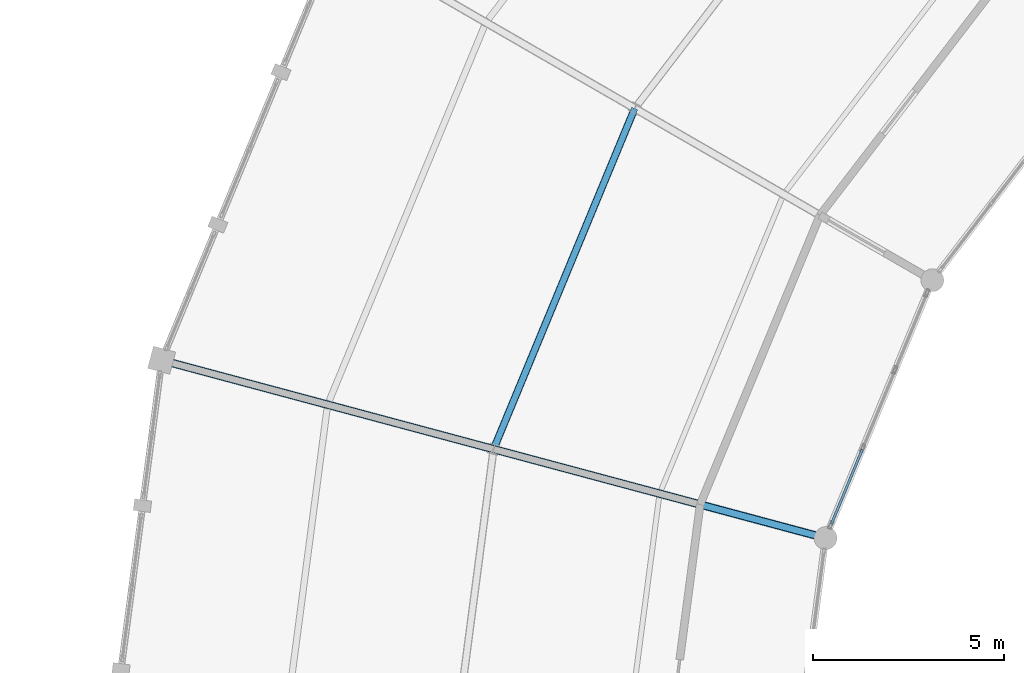
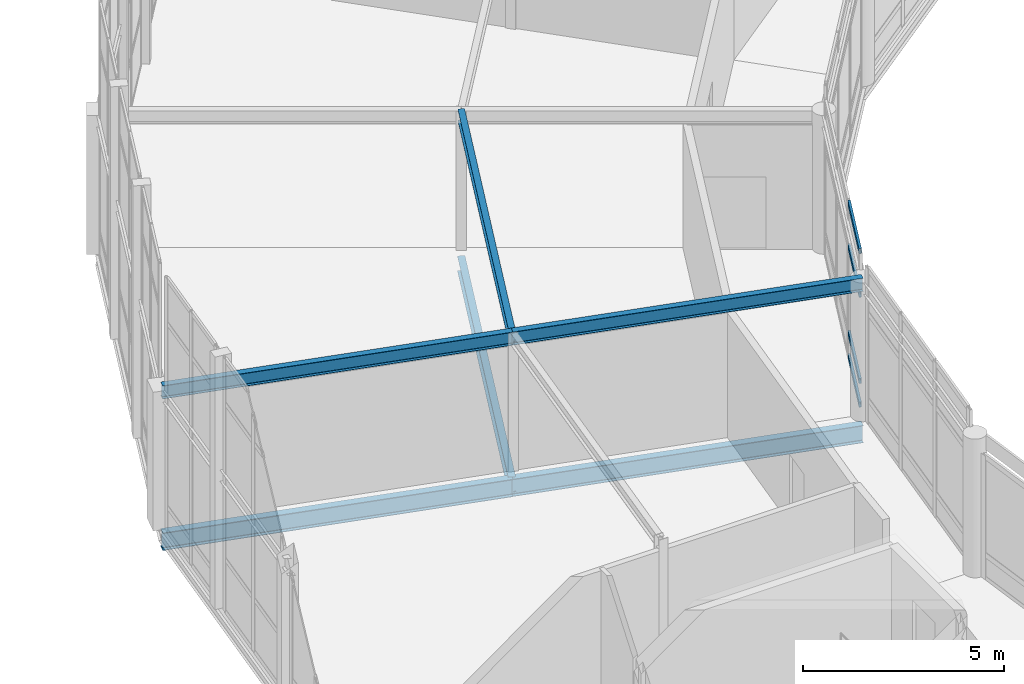
# One storey, part 81 of 200: 6 beams, 4 members, 1 element without a shape of its own.
"""IFC4 building model written with IfcOpenShell, lengths in metres."""

from ifc_helpers import new_model, si_unit, direction, frame, origin, origin_2d, place, context, subcontext, project, spatial, hollow_rectangle, i_section, extrude, material, material_profile, profile_set, type_object, element, aggregate, save


model = new_model("IFC4")

# Units and contexts
model_context = context("Model", 3, precision=1e-05, world=origin(), true_north=direction((0.0, 1.0)))
body_context = subcontext(model_context, "Body", "Model", "MODEL_VIEW")
ifc_project = project(units=[si_unit("LENGTHUNIT", "METRE"), si_unit("AREAUNIT", "SQUARE_METRE"), si_unit("VOLUMEUNIT", "CUBIC_METRE"), si_unit("PLANEANGLEUNIT", "RADIAN"), si_unit("MASSUNIT", "GRAM", prefix="KILO")], contexts=[model_context])

# Site, building, storey
site_placement = place(None, origin())
site = spatial("IfcSite", under=ifc_project, at=site_placement, CompositionType="ELEMENT")
building_placement = place(site_placement, origin())
building = spatial("IfcBuilding", under=site, at=building_placement, Name="Vondelvale Polytechnic", CompositionType="ELEMENT")
storey_placement = place(building_placement, frame((0.0, 0.0, 13.800048828125)))
storey = spatial("IfcBuildingStorey", under=building, at=storey_placement, Name="L03", CompositionType="ELEMENT", Elevation=13.800048828125)

# Beams
ifc_material_1 = material(Name="Steel 300PLUS (fy = 300 MPa)", Category="steel")
ifc_material_profile_1 = material_profile(ifc_material_1, i_section(OverallWidth=0.1708984375, OverallDepth=0.35205078125, WebThickness=0.0068359375, FlangeThickness=0.009765625, FilletRadius=0.011474609375, at=origin_2d()), Name="360UB44.7")
ifc_profile_set_1 = profile_set([ifc_material_profile_1], Name="Steel 300PLUS (fy = 300 MPa)")
beam_type_1 = type_object("IfcBeamType", Name="BM-UB360L", PredefinedType="BEAM", material=ifc_profile_set_1)
beam_1_placement = place(storey_placement, frame((69.95703125, 90.5, 4.02392578125), z_axis=(-0.38268516011, -0.923878816854, 0.0), x_axis=(0.923878816854, -0.38268516011, 0.0)))
element("IfcBeam", 1, at=beam_1_placement, inside=storey, type_object=beam_type_1, Name="L03 RE B-24", PredefinedType="BEAM", context=body_context, shape_type="SweptSolid", body=[
    extrude(i_section(OverallWidth=0.1708984375, OverallDepth=0.35205078125, WebThickness=0.0068359375, FlangeThickness=0.009765625, FilletRadius=0.011474609375, at=origin_2d()), origin(), (0.0, 0.0, 1.0), 9.658935546875),
])
ifc_material_profile_2 = material_profile(ifc_material_1, i_section(OverallWidth=0.177978515625, OverallDepth=0.403076171875, WebThickness=0.007568359375, FlangeThickness=0.010986328125, FilletRadius=0.011474609375, at=origin_2d()), Name="410UB53.7")
ifc_profile_set_2 = profile_set([ifc_material_profile_2], Name="Steel 300PLUS (fy = 300 MPa)")
beam_type_2 = type_object("IfcBeamType", Name="BM-UB410L", PredefinedType="BEAM", material=ifc_profile_set_2)
for number, where, z_axis, x_axis, name in (
    (2, (74.9541015625, 79.246826171875, 3.99853515625), (-0.965919958881, 0.258840941576, 0.0), (-0.258840941576, -0.965919958881, 0.0), "L03 REG B-23"),
    (3, (66.2607421875, 81.576416015625, 3.99853515625), (-0.965926740751, 0.25881563226, 0.0), (-0.25881563226, -0.965926740751, 0.0), "L03 REG B-23"),
):
    element("IfcBeam", number, at=place(storey_placement, frame(where, z_axis=z_axis, x_axis=x_axis)), inside=storey, type_object=beam_type_2, Name=name, PredefinedType="BEAM", context=body_context, shape_type="SweptSolid", body=[
        extrude(i_section(OverallWidth=0.177978515625, OverallDepth=0.403076171875, WebThickness=0.007568359375, FlangeThickness=0.010986328125, FilletRadius=0.011474609375, at=origin_2d()), origin(), (0.0, 0.0, 1.0), 9.0),
    ])
ifc_material_profile_3 = material_profile(ifc_material_1, i_section(OverallWidth=0.18994140625, OverallDepth=0.4541015625, WebThickness=0.008544921875, FlangeThickness=0.0126953125, FilletRadius=0.011474609375, at=origin_2d()), Name="460UB67.1")
ifc_profile_set_3 = profile_set([ifc_material_profile_3], Name="Steel 300PLUS (fy = 300 MPa)")
beam_type_3 = type_object("IfcBeamType", Name="BM-UB460L", PredefinedType="BEAM", material=ifc_profile_set_3)
beam_2_placement = place(storey_placement, frame((69.95703125, 90.5, -0.47705078125), z_axis=(-0.38268516011, -0.923878816854, 0.0), x_axis=(0.923878816854, -0.38268516011, 0.0)))
element("IfcBeam", 4, at=beam_2_placement, inside=storey, type_object=beam_type_3, Name="L03 RB B-22", PredefinedType="BEAM", context=body_context, shape_type="SweptSolid", body=[
    extrude(i_section(OverallWidth=0.18994140625, OverallDepth=0.4541015625, WebThickness=0.008544921875, FlangeThickness=0.0126953125, FilletRadius=0.011474609375, at=origin_2d()), origin(), (0.0, 0.0, 1.0), 9.658935546875),
])
ifc_material_profile_4 = material_profile(ifc_material_1, i_section(OverallWidth=0.208984375, OverallDepth=0.532958984375, WebThickness=0.01025390625, FlangeThickness=0.015625, FilletRadius=0.013916015625, at=origin_2d()), Name="530UB92.4")
ifc_profile_set_4 = profile_set([ifc_material_profile_4], Name="Steel 300PLUS (fy = 300 MPa)")
beam_type_4 = type_object("IfcBeamType", Name="BM-UB530", PredefinedType="BEAM", material=ifc_profile_set_4)
beam_3_placement = place(storey_placement, frame((66.2607421875, 81.576416015625, -0.5166015625), z_axis=(-0.965926740751, 0.25881563226, 0.0), x_axis=(-0.25881563226, -0.965926740751, 0.0)))
element("IfcBeam", 5, at=beam_3_placement, inside=storey, type_object=beam_type_4, Name="L03 RG B-11", PredefinedType="BEAM", context=body_context, shape_type="SweptSolid", body=[
    extrude(i_section(OverallWidth=0.208984375, OverallDepth=0.532958984375, WebThickness=0.01025390625, FlangeThickness=0.015625, FilletRadius=0.013916015625, at=origin_2d()), origin(), (0.0, 0.0, 1.0), 9.0),
])
ifc_material_profile_5 = material_profile(ifc_material_1, i_section(OverallWidth=0.208984375, OverallDepth=0.528076171875, WebThickness=0.009521484375, FlangeThickness=0.01318359375, FilletRadius=0.013916015625, at=origin_2d()), Name="530UB82.0")
ifc_profile_set_5 = profile_set([ifc_material_profile_5], Name="Steel 300PLUS (fy = 300 MPa)")
beam_type_5 = type_object("IfcBeamType", Name="BM-UB530L", PredefinedType="BEAM", material=ifc_profile_set_5)
beam_4_placement = place(storey_placement, frame((74.9541015625, 79.246826171875, -0.51416015625), z_axis=(-0.965919958881, 0.258840941576, 0.0), x_axis=(-0.258840941576, -0.965919958881, 0.0)))
element("IfcBeam", 6, at=beam_4_placement, inside=storey, type_object=beam_type_5, Name="L03 RG B-21", PredefinedType="BEAM", context=body_context, shape_type="SweptSolid", body=[
    extrude(i_section(OverallWidth=0.208984375, OverallDepth=0.528076171875, WebThickness=0.009521484375, FlangeThickness=0.01318359375, FilletRadius=0.013916015625, at=origin_2d()), origin(), (0.0, 0.0, 1.0), 9.0),
])

# Curtain wall, members
ifc_material_2 = material(Name="Anodised extruded aluminium 6063-T6", Category="aluminium")
curtain_wall_type = type_object("IfcCurtainWallType", Name="CW-RING-CLOISTER", PredefinedType="NOTDEFINED", material=ifc_material_2)
curtain_wall_placement = place(storey_placement, origin())
curtain_wall = element("IfcCurtainWall", 7, at=curtain_wall_placement, inside=storey, type_object=curtain_wall_type, Name="L03 architectural curtain wall CW-03-237", PredefinedType="NOTDEFINED")
ifc_material_profile_6 = material_profile(ifc_material_2, hollow_rectangle(XDim=0.06494140625, YDim=0.159912109375, WallThickness=0.00341796875, at=origin_2d()), Name="CW-TRN-160x65")
ifc_profile_set_6 = profile_set([ifc_material_profile_6], Name="Anodised extruded aluminium 6063-T6")
member_type = type_object("IfcMemberType", Name="CW-TRN-70x160", PredefinedType="USERDEFINED", material=ifc_profile_set_6)
member_1_placement = place(storey_placement, frame((75.915283203125, 81.567138671875, 0.032470703125), z_axis=(-0.382726229306, -0.923861804277, 0.0), x_axis=(0.923861804277, -0.382726229306, 0.0)))
member_1 = element("IfcMember", 8, at=member_1_placement, type_object=member_type, Name="CW-03-237 transom 3.1", ObjectType="TRANSOM", PredefinedType="USERDEFINED", context=body_context, shape_type="SweptSolid", body=[
    extrude(hollow_rectangle(XDim=0.06494140625, YDim=0.159912109375, WallThickness=0.00341796875, at=origin_2d()), origin(), (0.0, 0.0, 1.0), 2.111328125),
])
member_2_placement = place(storey_placement, frame((75.915283203125, 81.567138671875, 0.75), z_axis=(-0.382726229306, -0.923861804277, 0.0), x_axis=(0.923861804277, -0.382726229306, 0.0)))
member_2 = element("IfcMember", 9, at=member_2_placement, type_object=member_type, Name="CW-03-237 transom 3.2", ObjectType="TRANSOM", PredefinedType="USERDEFINED", context=body_context, shape_type="SweptSolid", body=[
    extrude(hollow_rectangle(XDim=0.06494140625, YDim=0.159912109375, WallThickness=0.00341796875, at=origin_2d()), origin(), (0.0, 0.0, 1.0), 2.111328125),
])
member_3_placement = place(storey_placement, frame((75.915283203125, 81.567138671875, 3.363037109375), z_axis=(-0.382726229306, -0.923861804277, 0.0), x_axis=(0.923861804277, -0.382726229306, 0.0)))
member_3 = element("IfcMember", 10, at=member_3_placement, type_object=member_type, Name="CW-03-237 transom 3.3", ObjectType="TRANSOM", PredefinedType="USERDEFINED", context=body_context, shape_type="SweptSolid", body=[
    extrude(hollow_rectangle(XDim=0.06494140625, YDim=0.159912109375, WallThickness=0.00341796875, at=origin_2d()), origin(), (0.0, 0.0, 1.0), 2.111328125),
])
member_4_placement = place(storey_placement, frame((75.915283203125, 81.567138671875, 4.6806640625), z_axis=(-0.382726229306, -0.923861804277, 0.0), x_axis=(0.923861804277, -0.382726229306, 0.0)))
member_4 = element("IfcMember", 11, at=member_4_placement, type_object=member_type, Name="CW-03-237 transom 3.4", ObjectType="TRANSOM", PredefinedType="USERDEFINED", context=body_context, shape_type="SweptSolid", body=[
    extrude(hollow_rectangle(XDim=0.06494140625, YDim=0.159912109375, WallThickness=0.00341796875, at=origin_2d()), origin(), (0.0, 0.0, 1.0), 2.111328125),
])
aggregate(curtain_wall, [member_1, member_2, member_3, member_4])

save(model, "model.ifc")
